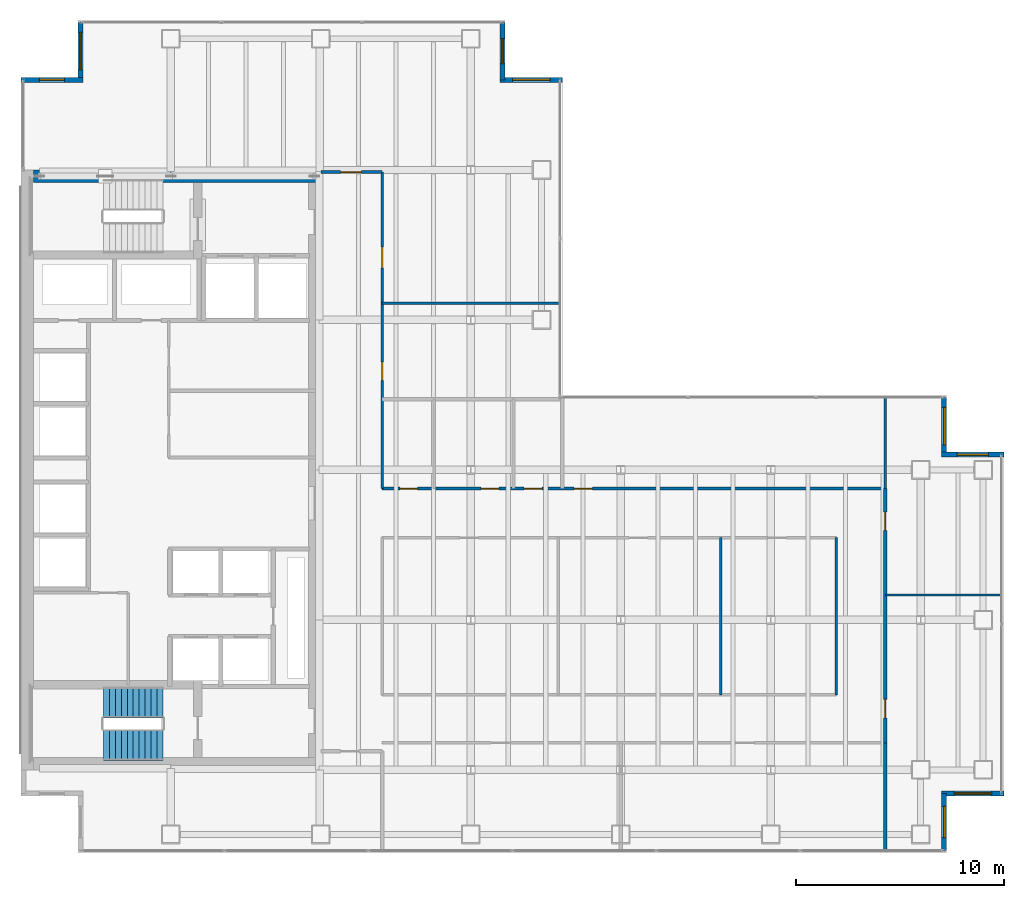
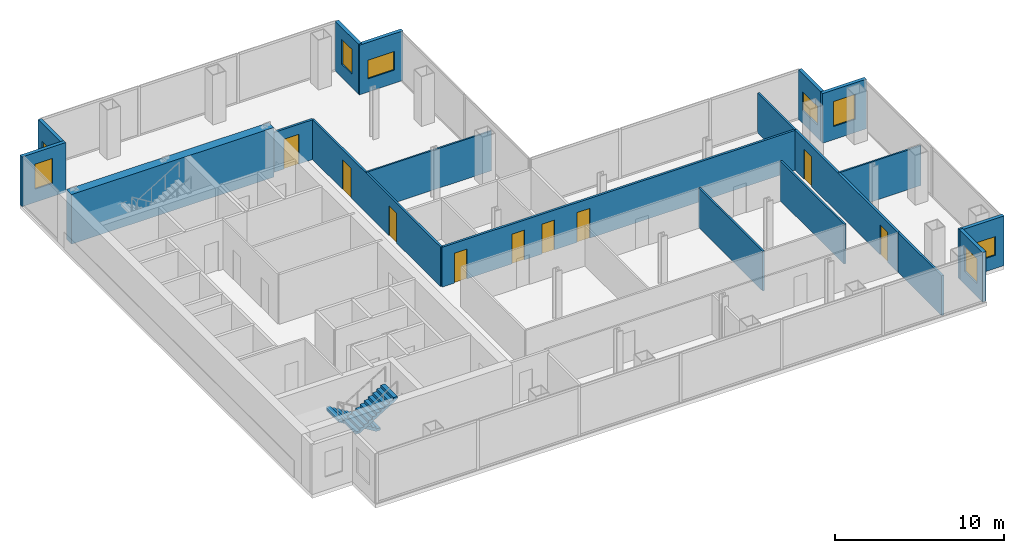
# One storey, part 22 of 24: 19 walls, 9 doors, 8 windows, 2 stair flights, 17 openings, 1 element without a shape of its own.
"""IFC4 building model written with IfcOpenShell, lengths in metres."""

from ifc_helpers import new_model, si_unit, direction, frame, frame_2d, origin, place, context, subcontext, project, spatial, polyline, rectangle, outline, extrude, material, layer, layer_set, type_object, element, fill, aggregate, save


model = new_model("IFC4")

# Units and contexts
model_context = context("Model", 3, precision=1e-05, world=origin(), true_north=direction((0.0, 1.0)))
body_context = subcontext(model_context, "Body", "Model", "MODEL_VIEW")
ifc_project = project(units=[si_unit("LENGTHUNIT", "METRE"), si_unit("AREAUNIT", "SQUARE_METRE"), si_unit("VOLUMEUNIT", "CUBIC_METRE"), si_unit("PLANEANGLEUNIT", "RADIAN"), si_unit("MASSUNIT", "GRAM", prefix="KILO")], contexts=[model_context])

# Site, building, storey
site_placement = place(None, origin())
site = spatial("IfcSite", under=ifc_project, at=site_placement, CompositionType="ELEMENT")
building_placement = place(site_placement, origin())
building = spatial("IfcBuilding", under=site, at=building_placement, Name="Cobrela Telecom Tower", CompositionType="ELEMENT")
storey_placement = place(building_placement, frame((0.0, 0.0, 121.449951171875)))
storey = spatial("IfcBuildingStorey", under=building, at=storey_placement, Name="L30", CompositionType="ELEMENT", Elevation=121.449951171875)

# Wall
ifc_material_1 = material(Name="Concrete C50/60", Category="concrete")
ifc_layer_1 = layer(ifc_material_1, 0.60009765625)
ifc_layer_set_1 = layer_set([ifc_layer_1], Name="Concrete C50/60")
wall_type_1 = type_object("IfcWallType", Name="WALL-CORE-C50-600", PredefinedType="SHEAR", material=ifc_layer_set_1)
wall_1_placement = place(storey_placement, frame((0.60009765625, 35.699951171875, 0.0), z_axis=(0.0, 0.0, 1.0), x_axis=(1.0, 0.0, 0.0)))
element("IfcWall", 1, at=wall_1_placement, inside=storey, type_object=wall_type_1, Name="L30 North Core Shear Wall", PredefinedType="SHEAR", context=body_context, shape_type="SweptSolid", body=[
    extrude(rectangle(XDim=13.7998046875, YDim=0.60009765625, at=frame_2d((6.89990234375, 0.0))), origin(), (0.0, 0.0, 1.0), 3.580078125),
])

# Wall, opening, window
ifc_material_2 = material(Name="Concrete C40/50", Category="concrete")
ifc_layer_2 = layer(ifc_material_2, 0.239990234375)
ifc_layer_set_2 = layer_set([ifc_layer_2], Name="Concrete C40/50")
wall_type_2 = type_object("IfcWallType", Name="WALL-EXT-300", PredefinedType="STANDARD", material=ifc_layer_set_2)
wall_2_placement = place(storey_placement, frame((0.0, 40.330078125, 0.0), z_axis=(0.0, 0.0, 1.0), x_axis=(1.0, 0.0, 0.0)))
wall_2 = element("IfcWall", 2, at=wall_2_placement, inside=storey, type_object=wall_type_2, Name="L30 Insulated Facade Wall 05", PredefinedType="STANDARD", context=body_context, shape_type="SweptSolid", body=[
    extrude(rectangle(XDim=2.989990234375, YDim=0.239990234375, at=frame_2d((1.4951171875, 0.0))), origin(), (0.0, 0.0, 1.0), 3.580078125),
])
opening_1_placement = place(wall_2_placement, frame((0.89501953125, 0.0, 0.949951171875)))
opening_1 = element("IfcOpeningElement", 3, at=opening_1_placement, cuts=wall_2, Name="Opening WN-19", PredefinedType="OPENING", context=body_context, shape_type="SweptSolid", body=[
    extrude(rectangle(XDim=1.199951171875, YDim=1.800048828125, at=frame_2d((0.60009765625, 0.89990234375))), frame((0.0, 0.1318359375, 0.0), z_axis=(0.0, -1.0, 0.0), x_axis=(1.0, 0.0, 0.0)), (0.0, 0.0, 1.0), 0.263916015625),
])
ifc_material_3 = material(Name="Solar-Control Bronze Low-E Glass", Category="glass")
window_type_1 = type_object("IfcWindowType", Name="WIN-MOD-1200", PartitioningType="SINGLE_PANEL", PredefinedType="WINDOW", material=ifc_material_3)
window_1_placement = place(opening_1_placement, origin())
window_1 = element("IfcWindow", 4, at=window_1_placement, inside=storey, type_object=window_type_1, Name="L30 Corner Notch Facade Window 142", OverallHeight=1.800048828125, OverallWidth=1.199951171875, PartitioningType="SINGLE_PANEL", PredefinedType="WINDOW", context=body_context, shape_type="SweptSolid", body=[
    extrude(rectangle(XDim=1.199951171875, YDim=1.800048828125, at=frame_2d((0.60009765625, 0.89990234375))), frame((0.0, 0.030029296875, 0.0), z_axis=(0.0, -1.0, 0.0), x_axis=(1.0, 0.0, 0.0)), (0.0, 0.0, 1.0), 0.06005859375),
])
fill(opening_1, window_1)

wall_3_placement = place(storey_placement, frame((2.8701171875, 40.330078125, 0.0), z_axis=(0.0, 0.0, 1.0), x_axis=(0.0, 1.0, 0.0)))
wall_3 = element("IfcWall", 5, at=wall_3_placement, inside=storey, type_object=wall_type_2, Name="L30 Insulated Facade Wall 06", PredefinedType="STANDARD", context=body_context, shape_type="SweptSolid", body=[
    extrude(rectangle(XDim=2.75, YDim=0.239990234375, at=frame_2d((1.375, 0.0))), origin(), (0.0, 0.0, 1.0), 3.580078125),
])
opening_2_placement = place(wall_3_placement, frame((0.47509765625, 0.0, 0.949951171875)))
opening_2 = element("IfcOpeningElement", 6, at=opening_2_placement, cuts=wall_3, Name="Opening WN-27", PredefinedType="OPENING", context=body_context, shape_type="SweptSolid", body=[
    extrude(rectangle(XDim=1.800048828125, YDim=1.35009765625, at=frame_2d((0.89990234375, 0.675048828125))), frame((0.0, 0.1318359375, 0.0), z_axis=(0.0, -1.0, 0.0), x_axis=(1.0, 0.0, 0.0)), (0.0, 0.0, 1.0), 0.263916015625),
])
window_type_2 = type_object("IfcWindowType", Name="WIN-CLER-1800", PartitioningType="SINGLE_PANEL", PredefinedType="WINDOW", material=ifc_material_3)
window_2_placement = place(opening_2_placement, origin())
window_2 = element("IfcWindow", 7, at=window_2_placement, inside=storey, type_object=window_type_2, Name="L30 Corner Notch Facade Window 143", OverallHeight=1.35009765625, OverallWidth=1.800048828125, PartitioningType="SINGLE_PANEL", PredefinedType="WINDOW", context=body_context, shape_type="SweptSolid", body=[
    extrude(rectangle(XDim=1.800048828125, YDim=1.35009765625, at=frame_2d((0.89990234375, 0.675048828125))), frame((0.0, 0.030029296875, 0.0), z_axis=(0.0, -1.0, 0.0), x_axis=(1.0, 0.0, 0.0)), (0.0, 0.0, 1.0), 0.06005859375),
])
fill(opening_2, window_2)

wall_4_placement = place(storey_placement, frame((23.1298828125, 43.080078125, 0.0), z_axis=(0.0, 0.0, 1.0), x_axis=(0.0, -1.0, 0.0)))
wall_4 = element("IfcWall", 8, at=wall_4_placement, inside=storey, type_object=wall_type_2, Name="L30 Insulated Facade Wall 08", PredefinedType="STANDARD", context=body_context, shape_type="SweptSolid", body=[
    extrude(rectangle(XDim=2.75, YDim=0.239990234375, at=frame_2d((1.375, 0.0))), origin(), (0.0, 0.0, 1.0), 3.580078125),
])
opening_3_placement = place(wall_4_placement, frame((0.77490234375, 0.0, 0.949951171875)))
opening_3 = element("IfcOpeningElement", 9, at=opening_3_placement, cuts=wall_4, Name="Opening WN-19", PredefinedType="OPENING", context=body_context, shape_type="SweptSolid", body=[
    extrude(rectangle(XDim=1.199951171875, YDim=1.800048828125, at=frame_2d((0.60009765625, 0.89990234375))), frame((0.0, 0.1318359375, 0.0), z_axis=(0.0, -1.0, 0.0), x_axis=(1.0, 0.0, 0.0)), (0.0, 0.0, 1.0), 0.263916015625),
])
window_3_placement = place(opening_3_placement, origin())
window_3 = element("IfcWindow", 10, at=window_3_placement, inside=storey, type_object=window_type_1, Name="L30 Corner Notch Facade Window 144", OverallHeight=1.800048828125, OverallWidth=1.199951171875, PartitioningType="SINGLE_PANEL", PredefinedType="WINDOW", context=body_context, shape_type="SweptSolid", body=[
    extrude(rectangle(XDim=1.199951171875, YDim=1.800048828125, at=frame_2d((0.60009765625, 0.89990234375))), frame((0.0, 0.030029296875, 0.0), z_axis=(0.0, -1.0, 0.0), x_axis=(1.0, 0.0, 0.0)), (0.0, 0.0, 1.0), 0.06005859375),
])
fill(opening_3, window_3)

wall_5_placement = place(storey_placement, frame((23.010009765625, 40.330078125, 0.0), z_axis=(0.0, 0.0, 1.0), x_axis=(1.0, 0.0, 0.0)))
wall_5 = element("IfcWall", 11, at=wall_5_placement, inside=storey, type_object=wall_type_2, Name="L30 Insulated Facade Wall 09", PredefinedType="STANDARD", context=body_context, shape_type="SweptSolid", body=[
    extrude(rectangle(XDim=2.989990234375, YDim=0.239990234375, at=frame_2d((1.4951171875, 0.0))), origin(), (0.0, 0.0, 1.0), 3.580078125),
])
opening_4_placement = place(wall_5_placement, frame((0.594970703125, 0.0, 0.949951171875)))
opening_4 = element("IfcOpeningElement", 12, at=opening_4_placement, cuts=wall_5, Name="Opening WN-27", PredefinedType="OPENING", context=body_context, shape_type="SweptSolid", body=[
    extrude(rectangle(XDim=1.800048828125, YDim=1.35009765625, at=frame_2d((0.89990234375, 0.675048828125))), frame((0.0, 0.1318359375, 0.0), z_axis=(0.0, -1.0, 0.0), x_axis=(1.0, 0.0, 0.0)), (0.0, 0.0, 1.0), 0.263916015625),
])
window_4_placement = place(opening_4_placement, origin())
window_4 = element("IfcWindow", 13, at=window_4_placement, inside=storey, type_object=window_type_2, Name="L30 Corner Notch Facade Window 145", OverallHeight=1.35009765625, OverallWidth=1.800048828125, PartitioningType="SINGLE_PANEL", PredefinedType="WINDOW", context=body_context, shape_type="SweptSolid", body=[
    extrude(rectangle(XDim=1.800048828125, YDim=1.35009765625, at=frame_2d((0.89990234375, 0.675048828125))), frame((0.0, 0.030029296875, 0.0), z_axis=(0.0, -1.0, 0.0), x_axis=(1.0, 0.0, 0.0)), (0.0, 0.0, 1.0), 0.06005859375),
])
fill(opening_4, window_4)

wall_6_placement = place(storey_placement, frame((44.330078125, 25.080078125, 0.0), z_axis=(0.0, 0.0, 1.0), x_axis=(0.0, -1.0, 0.0)))
wall_6 = element("IfcWall", 14, at=wall_6_placement, inside=storey, type_object=wall_type_2, Name="L30 Insulated Facade Wall 12", PredefinedType="STANDARD", context=body_context, shape_type="SweptSolid", body=[
    extrude(rectangle(XDim=2.75, YDim=0.239990234375, at=frame_2d((1.375, 0.0))), origin(), (0.0, 0.0, 1.0), 3.580078125),
])
opening_5_placement = place(wall_6_placement, frame((0.47509765625, 0.0, 0.949951171875)))
opening_5 = element("IfcOpeningElement", 15, at=opening_5_placement, cuts=wall_6, Name="Opening WN-27", PredefinedType="OPENING", context=body_context, shape_type="SweptSolid", body=[
    extrude(rectangle(XDim=1.800048828125, YDim=1.35009765625, at=frame_2d((0.89990234375, 0.675048828125))), frame((0.0, 0.1318359375, 0.0), z_axis=(0.0, -1.0, 0.0), x_axis=(1.0, 0.0, 0.0)), (0.0, 0.0, 1.0), 0.263916015625),
])
window_5_placement = place(opening_5_placement, origin())
window_5 = element("IfcWindow", 16, at=window_5_placement, inside=storey, type_object=window_type_2, Name="L30 Corner Notch Facade Window 146", OverallHeight=1.35009765625, OverallWidth=1.800048828125, PartitioningType="SINGLE_PANEL", PredefinedType="WINDOW", context=body_context, shape_type="SweptSolid", body=[
    extrude(rectangle(XDim=1.800048828125, YDim=1.35009765625, at=frame_2d((0.89990234375, 0.675048828125))), frame((0.0, 0.030029296875, 0.0), z_axis=(0.0, -1.0, 0.0), x_axis=(1.0, 0.0, 0.0)), (0.0, 0.0, 1.0), 0.06005859375),
])
fill(opening_5, window_5)

wall_7_placement = place(storey_placement, frame((44.2099609375, 22.330078125, 0.0), z_axis=(0.0, 0.0, 1.0), x_axis=(1.0, 0.0, 0.0)))
wall_7 = element("IfcWall", 17, at=wall_7_placement, inside=storey, type_object=wall_type_2, Name="L30 Insulated Facade Wall 13", PredefinedType="STANDARD", context=body_context, shape_type="SweptSolid", body=[
    extrude(rectangle(XDim=2.989990234375, YDim=0.239990234375, at=frame_2d((1.4951171875, 0.0))), origin(), (0.0, 0.0, 1.0), 3.580078125),
])
opening_6_placement = place(wall_7_placement, frame((0.7451171875, 0.0, 0.949951171875)))
opening_6 = element("IfcOpeningElement", 18, at=opening_6_placement, cuts=wall_7, Name="Opening WN-45", PredefinedType="OPENING", context=body_context, shape_type="SweptSolid", body=[
    extrude(rectangle(XDim=1.5, YDim=1.800048828125, at=frame_2d((0.75, 0.89990234375))), frame((0.0, 0.1318359375, 0.0), z_axis=(0.0, -1.0, 0.0), x_axis=(1.0, 0.0, 0.0)), (0.0, 0.0, 1.0), 0.263916015625),
])
window_type_3 = type_object("IfcWindowType", Name="WIN-MOD-1500", PartitioningType="SINGLE_PANEL", PredefinedType="WINDOW", material=ifc_material_3)
window_6_placement = place(opening_6_placement, origin())
window_6 = element("IfcWindow", 19, at=window_6_placement, inside=storey, type_object=window_type_3, Name="L30 Corner Notch Facade Window 147", OverallHeight=1.800048828125, OverallWidth=1.5, PartitioningType="SINGLE_PANEL", PredefinedType="WINDOW", context=body_context, shape_type="SweptSolid", body=[
    extrude(rectangle(XDim=1.5, YDim=1.800048828125, at=frame_2d((0.75, 0.89990234375))), frame((0.0, 0.030029296875, 0.0), z_axis=(0.0, -1.0, 0.0), x_axis=(1.0, 0.0, 0.0)), (0.0, 0.0, 1.0), 0.06005859375),
])
fill(opening_6, window_6)

wall_8_placement = place(storey_placement, frame((47.199951171875, 6.070068359375, 0.0), z_axis=(0.0, 0.0, 1.0), x_axis=(-1.0, 0.0, 0.0)))
wall_8 = element("IfcWall", 20, at=wall_8_placement, inside=storey, type_object=wall_type_2, Name="L30 Insulated Facade Wall 15", PredefinedType="STANDARD", context=body_context, shape_type="SweptSolid", body=[
    extrude(rectangle(XDim=2.989990234375, YDim=0.239990234375, at=frame_2d((1.4951171875, 0.0))), origin(), (0.0, 0.0, 1.0), 3.580078125),
])
opening_7_placement = place(wall_8_placement, frame((0.594970703125, 0.0, 0.949951171875)))
opening_7 = element("IfcOpeningElement", 21, at=opening_7_placement, cuts=wall_8, Name="Opening WN-27", PredefinedType="OPENING", context=body_context, shape_type="SweptSolid", body=[
    extrude(rectangle(XDim=1.800048828125, YDim=1.35009765625, at=frame_2d((0.89990234375, 0.675048828125))), frame((0.0, 0.1318359375, 0.0), z_axis=(0.0, -1.0, 0.0), x_axis=(1.0, 0.0, 0.0)), (0.0, 0.0, 1.0), 0.263916015625),
])
window_7_placement = place(opening_7_placement, origin())
window_7 = element("IfcWindow", 22, at=window_7_placement, inside=storey, type_object=window_type_2, Name="L30 Corner Notch Facade Window 148", OverallHeight=1.35009765625, OverallWidth=1.800048828125, PartitioningType="SINGLE_PANEL", PredefinedType="WINDOW", context=body_context, shape_type="SweptSolid", body=[
    extrude(rectangle(XDim=1.800048828125, YDim=1.35009765625, at=frame_2d((0.89990234375, 0.675048828125))), frame((0.0, 0.030029296875, 0.0), z_axis=(0.0, -1.0, 0.0), x_axis=(1.0, 0.0, 0.0)), (0.0, 0.0, 1.0), 0.06005859375),
])
fill(opening_7, window_7)

wall_9_placement = place(storey_placement, frame((44.330078125, 6.070068359375, 0.0), z_axis=(0.0, 0.0, 1.0), x_axis=(0.0, -1.0, 0.0)))
wall_9 = element("IfcWall", 23, at=wall_9_placement, inside=storey, type_object=wall_type_2, Name="L30 Insulated Facade Wall 16", PredefinedType="STANDARD", context=body_context, shape_type="SweptSolid", body=[
    extrude(rectangle(XDim=2.75, YDim=0.239990234375, at=frame_2d((1.375, 0.0))), origin(), (0.0, 0.0, 1.0), 3.580078125),
])
opening_8_placement = place(wall_9_placement, frame((0.625, 0.0, 0.949951171875)))
opening_8 = element("IfcOpeningElement", 24, at=opening_8_placement, cuts=wall_9, Name="Opening WN-45", PredefinedType="OPENING", context=body_context, shape_type="SweptSolid", body=[
    extrude(rectangle(XDim=1.5, YDim=1.800048828125, at=frame_2d((0.75, 0.89990234375))), frame((0.0, 0.1318359375, 0.0), z_axis=(0.0, -1.0, 0.0), x_axis=(1.0, 0.0, 0.0)), (0.0, 0.0, 1.0), 0.263916015625),
])
window_8_placement = place(opening_8_placement, origin())
window_8 = element("IfcWindow", 25, at=window_8_placement, inside=storey, type_object=window_type_3, Name="L30 Corner Notch Facade Window 149", OverallHeight=1.800048828125, OverallWidth=1.5, PartitioningType="SINGLE_PANEL", PredefinedType="WINDOW", context=body_context, shape_type="SweptSolid", body=[
    extrude(rectangle(XDim=1.5, YDim=1.800048828125, at=frame_2d((0.75, 0.89990234375))), frame((0.0, 0.030029296875, 0.0), z_axis=(0.0, -1.0, 0.0), x_axis=(1.0, 0.0, 0.0)), (0.0, 0.0, 1.0), 0.06005859375),
])
fill(opening_8, window_8)

# Walls
ifc_material_4 = material(Name="Fire-Rated Gypsum Plasterboard")
ifc_layer_3 = layer(ifc_material_4, 0.110107421875)
ifc_layer_set_3 = layer_set([ifc_layer_3], Name="Fire-Rated Gypsum Plasterboard")
wall_type_3 = type_object("IfcWallType", Name="WALL-PART-110", PredefinedType="PARTITIONING", material=ifc_layer_set_3)
wall_10_placement = place(storey_placement, frame((17.35009765625, 29.60009765625, 0.0), z_axis=(0.0, 0.0, 1.0), x_axis=(1.0, 0.0, 0.0)))
element("IfcWall", 26, at=wall_10_placement, inside=storey, type_object=wall_type_3, Name="L30 Interior Partition W-NPAN-N", PredefinedType="PARTITIONING", context=body_context, shape_type="SweptSolid", body=[
    extrude(rectangle(XDim=8.52978515625, YDim=0.110107421875, at=frame_2d((4.264892578125, 0.0))), origin(), (0.0, 0.0, 1.0), 2.869140625),
])
wall_11_placement = place(storey_placement, frame((41.5, 15.60009765625, 0.0), z_axis=(0.0, 0.0, 1.0), x_axis=(1.0, 0.0, 0.0)))
element("IfcWall", 27, at=wall_11_placement, inside=storey, type_object=wall_type_3, Name="L30 Interior Partition W-UFE-H", PredefinedType="PARTITIONING", context=body_context, shape_type="SweptSolid", body=[
    extrude(rectangle(XDim=5.580078125, YDim=0.110107421875, at=frame_2d((2.7900390625, 0.0))), origin(), (0.0, 0.0, 1.0), 2.869140625),
])
ifc_layer_4 = layer(ifc_material_4, 0.125)
ifc_layer_set_4 = layer_set([ifc_layer_4], Name="Fire-Rated Gypsum Plasterboard")
wall_type_4 = type_object("IfcWallType", Name="WALL-PART-125", PredefinedType="PARTITIONING", material=ifc_layer_set_4)
for number, where, z_axis, x_axis, name in (
    (28, (39.14990234375, 10.800048828125, 0.0), (0.0, 0.0, 1.0), (0.0, 1.0, 0.0), "L30 Interior Partition W-ISL-E"),
    (29, (33.60009765625, 10.800048828125, 0.0), (0.0, 0.0, 1.0), (0.0, 1.0, 0.0), "L30 Interior Partition W-ISLV-2"),
):
    element("IfcWall", number, at=place(storey_placement, frame(where, z_axis=z_axis, x_axis=x_axis)), inside=storey, type_object=wall_type_4, Name=name, PredefinedType="PARTITIONING", context=body_context, shape_type="SweptSolid", body=[
        extrude(rectangle(XDim=7.550048828125, YDim=0.125, at=frame_2d((3.77490234375, 0.0))), origin(), (0.0, 0.0, 1.0), 2.869140625),
    ])

# Wall, openings, doors
ifc_layer_5 = layer(ifc_material_4, 0.135009765625)
ifc_layer_set_5 = layer_set([ifc_layer_5], Name="Fire-Rated Gypsum Plasterboard")
wall_type_5 = type_object("IfcWallType", Name="WALL-PART-135", PredefinedType="PARTITIONING", material=ifc_layer_set_5)
wall_12_placement = place(storey_placement, frame((17.35009765625, 20.699951171875, 0.0), z_axis=(0.0, 0.0, 1.0), x_axis=(0.0, 1.0, 0.0)))
wall_12 = element("IfcWall", 30, at=wall_12_placement, inside=storey, type_object=wall_type_5, Name="L30 Interior Partition W-UW-E2", PredefinedType="PARTITIONING", context=body_context, shape_type="SweptSolid", body=[
    extrude(rectangle(XDim=15.199951171875, YDim=0.135009765625, at=frame_2d((7.60009765625, 0.0))), origin(), (0.0, 0.0, 1.0), 2.869140625),
])
opening_9_placement = place(wall_12_placement, frame((5.199951171875, 0.0, 0.0)))
opening_9 = element("IfcOpeningElement", 31, at=opening_9_placement, cuts=wall_12, Name="Opening DR-39", PredefinedType="OPENING", context=body_context, shape_type="SweptSolid", body=[
    extrude(rectangle(XDim=0.8798828125, YDim=2.14990234375, at=frame_2d((0.43994140625, 1.074951171875))), frame((0.0, 0.07958984375, 0.0), z_axis=(0.0, -1.0, 0.0), x_axis=(1.0, 0.0, 0.0)), (0.0, 0.0, 1.0), 0.158935546875),
])
opening_10_placement = place(wall_12_placement, frame((10.60009765625, 0.0, 0.0)))
opening_10 = element("IfcOpeningElement", 32, at=opening_10_placement, cuts=wall_12, Name="Opening DR-31", PredefinedType="OPENING", context=body_context, shape_type="SweptSolid", body=[
    extrude(rectangle(XDim=1.0, YDim=2.14990234375, at=frame_2d((0.5, 1.074951171875))), frame((0.0, 0.07958984375, 0.0), z_axis=(0.0, -1.0, 0.0), x_axis=(1.0, 0.0, 0.0)), (0.0, 0.0, 1.0), 0.158935546875),
])
ifc_material_5 = material(Name="Solid Engineered Oak Timber", Category="wood")
door_type_1 = type_object("IfcDoorType", Name="DOOR-INT-1000", OperationType="SINGLE_SWING_LEFT", PredefinedType="DOOR", material=ifc_material_5)
door_1_placement = place(opening_10_placement, origin())
door_1 = element("IfcDoor", 33, at=door_1_placement, inside=storey, type_object=door_type_1, Name="L30 Door DR-31", OperationType="SINGLE_SWING_LEFT", OverallHeight=2.14990234375, OverallWidth=1.0, PredefinedType="DOOR", context=body_context, shape_type="SweptSolid", body=[
    extrude(rectangle(XDim=1.0, YDim=2.14990234375, at=frame_2d((0.5, 1.074951171875))), frame((0.0, 0.02490234375, 0.0), z_axis=(0.0, -1.0, 0.0), x_axis=(1.0, 0.0, 0.0)), (0.0, 0.0, 1.0), 0.050048828125),
])
fill(opening_10, door_1)
door_type_2 = type_object("IfcDoorType", Name="DOOR-INT-880", OperationType="SINGLE_SWING_LEFT", PredefinedType="DOOR", material=ifc_material_5)
door_2_placement = place(opening_9_placement, origin())
door_2 = element("IfcDoor", 34, at=door_2_placement, inside=storey, type_object=door_type_2, Name="L30 Door DR-39", OperationType="SINGLE_SWING_RIGHT", OverallHeight=2.14990234375, OverallWidth=0.8798828125, PredefinedType="DOOR", context=body_context, shape_type="SweptSolid", body=[
    extrude(rectangle(XDim=0.8798828125, YDim=2.14990234375, at=frame_2d((0.43994140625, 1.074951171875))), frame((0.0, 0.02490234375, 0.0), z_axis=(0.0, -1.0, 0.0), x_axis=(1.0, 0.0, 0.0)), (0.0, 0.0, 1.0), 0.050048828125),
])
fill(opening_9, door_2)

# Wall
wall_13_placement = place(storey_placement, frame((41.5, 20.699951171875, 0.0), z_axis=(0.0, 0.0, 1.0), x_axis=(0.0, 1.0, 0.0)))
element("IfcWall", 35, at=wall_13_placement, inside=storey, type_object=wall_type_5, Name="L30 Interior Partition W-UFE-N", PredefinedType="PARTITIONING", context=body_context, shape_type="SweptSolid", body=[
    extrude(rectangle(XDim=4.380126953125, YDim=0.135009765625, at=frame_2d((2.18994140625, 0.0))), origin(), (0.0, 0.0, 1.0), 2.869140625),
])

# Wall, opening, door
ifc_layer_6 = layer(ifc_material_4, 0.14990234375)
ifc_layer_set_6 = layer_set([ifc_layer_6], Name="Fire-Rated Gypsum Plasterboard")
wall_type_6 = type_object("IfcWallType", Name="WALL-PART-150", PredefinedType="PARTITIONING", material=ifc_layer_set_6)
wall_14_placement = place(storey_placement, frame((14.39990234375, 35.89990234375, 0.0), z_axis=(0.0, 0.0, 1.0), x_axis=(1.0, 0.0, 0.0)))
wall_14 = element("IfcWall", 36, at=wall_14_placement, inside=storey, type_object=wall_type_6, Name="L30 Interior Partition W-UW-N0", PredefinedType="PARTITIONING", context=body_context, shape_type="SweptSolid", body=[
    extrude(rectangle(XDim=2.9501953125, YDim=0.14990234375, at=frame_2d((1.47509765625, 0.0))), origin(), (0.0, 0.0, 1.0), 2.869140625),
])
opening_11_placement = place(wall_14_placement, frame((0.949951171875, 0.0, 0.0)))
opening_11 = element("IfcOpeningElement", 37, at=opening_11_placement, cuts=wall_14, Name="Opening DR-31", PredefinedType="OPENING", context=body_context, shape_type="SweptSolid", body=[
    extrude(rectangle(XDim=1.0, YDim=2.14990234375, at=frame_2d((0.5, 1.074951171875))), frame((0.0, 0.0869140625, 0.0), z_axis=(0.0, -1.0, 0.0), x_axis=(1.0, 0.0, 0.0)), (0.0, 0.0, 1.0), 0.173828125),
])
door_3_placement = place(opening_11_placement, origin())
door_3 = element("IfcDoor", 38, at=door_3_placement, inside=storey, type_object=door_type_1, Name="L30 Door DR-31", OperationType="SINGLE_SWING_LEFT", OverallHeight=2.14990234375, OverallWidth=1.0, PredefinedType="DOOR", context=body_context, shape_type="SweptSolid", body=[
    extrude(rectangle(XDim=1.0, YDim=2.14990234375, at=frame_2d((0.5, 1.074951171875))), frame((0.0, 0.02490234375, 0.0), z_axis=(0.0, -1.0, 0.0), x_axis=(1.0, 0.0, 0.0)), (0.0, 0.0, 1.0), 0.050048828125),
])
fill(opening_11, door_3)

# Wall, openings, doors
wall_15_placement = place(storey_placement, frame((17.35009765625, 20.699951171875, 0.0), z_axis=(0.0, 0.0, 1.0), x_axis=(1.0, 0.0, 0.0)))
wall_15 = element("IfcWall", 39, at=wall_15_placement, inside=storey, type_object=wall_type_6, Name="L30 Interior Partition W-UN-N", PredefinedType="PARTITIONING", context=body_context, shape_type="SweptSolid", body=[
    extrude(rectangle(XDim=24.14990234375, YDim=0.14990234375, at=frame_2d((12.074951171875, 0.0))), origin(), (0.0, 0.0, 1.0), 2.869140625),
])
opening_12_placement = place(wall_15_placement, frame((0.85009765625, 0.0, 0.0)))
opening_12 = element("IfcOpeningElement", 40, at=opening_12_placement, cuts=wall_15, Name="Opening DR-11", PredefinedType="OPENING", context=body_context, shape_type="SweptSolid", body=[
    extrude(rectangle(XDim=0.85009765625, YDim=2.14990234375, at=frame_2d((0.425048828125, 1.074951171875))), frame((0.0, 0.0869140625, 0.0), z_axis=(0.0, -1.0, 0.0), x_axis=(1.0, 0.0, 0.0)), (0.0, 0.0, 1.0), 0.173828125),
])
opening_13_placement = place(wall_15_placement, frame((4.75, 0.0, 0.0)))
opening_13 = element("IfcOpeningElement", 41, at=opening_13_placement, cuts=wall_15, Name="Opening DR-11", PredefinedType="OPENING", context=body_context, shape_type="SweptSolid", body=[
    extrude(rectangle(XDim=0.85009765625, YDim=2.14990234375, at=frame_2d((0.425048828125, 1.074951171875))), frame((0.0, 0.0869140625, 0.0), z_axis=(0.0, -1.0, 0.0), x_axis=(1.0, 0.0, 0.0)), (0.0, 0.0, 1.0), 0.173828125),
])
opening_14_placement = place(wall_15_placement, frame((6.81005859375, 0.0, 0.0)))
opening_14 = element("IfcOpeningElement", 42, at=opening_14_placement, cuts=wall_15, Name="Opening DR-11", PredefinedType="OPENING", context=body_context, shape_type="SweptSolid", body=[
    extrude(rectangle(XDim=0.85009765625, YDim=2.14990234375, at=frame_2d((0.425048828125, 1.074951171875))), frame((0.0, 0.0869140625, 0.0), z_axis=(0.0, -1.0, 0.0), x_axis=(1.0, 0.0, 0.0)), (0.0, 0.0, 1.0), 0.173828125),
])
opening_15_placement = place(wall_15_placement, frame((9.2099609375, 0.0, 0.0)))
opening_15 = element("IfcOpeningElement", 43, at=opening_15_placement, cuts=wall_15, Name="Opening DR-39", PredefinedType="OPENING", context=body_context, shape_type="SweptSolid", body=[
    extrude(rectangle(XDim=0.8798828125, YDim=2.14990234375, at=frame_2d((0.43994140625, 1.074951171875))), frame((0.0, 0.0869140625, 0.0), z_axis=(0.0, -1.0, 0.0), x_axis=(1.0, 0.0, 0.0)), (0.0, 0.0, 1.0), 0.173828125),
])
door_type_3 = type_object("IfcDoorType", Name="DOOR-INT-850", OperationType="SINGLE_SWING_LEFT", PredefinedType="DOOR", material=ifc_material_5)
door_4_placement = place(opening_12_placement, origin())
door_4 = element("IfcDoor", 44, at=door_4_placement, inside=storey, type_object=door_type_3, Name="L30 Door DR-11", OperationType="SINGLE_SWING_LEFT", OverallHeight=2.14990234375, OverallWidth=0.85009765625, PredefinedType="DOOR", context=body_context, shape_type="SweptSolid", body=[
    extrude(rectangle(XDim=0.85009765625, YDim=2.14990234375, at=frame_2d((0.425048828125, 1.074951171875))), frame((0.0, 0.02490234375, 0.0), z_axis=(0.0, -1.0, 0.0), x_axis=(1.0, 0.0, 0.0)), (0.0, 0.0, 1.0), 0.050048828125),
])
fill(opening_12, door_4)
door_5_placement = place(opening_13_placement, origin())
door_5 = element("IfcDoor", 45, at=door_5_placement, inside=storey, type_object=door_type_3, Name="L30 Door DR-11", OperationType="SINGLE_SWING_RIGHT", OverallHeight=2.14990234375, OverallWidth=0.85009765625, PredefinedType="DOOR", context=body_context, shape_type="SweptSolid", body=[
    extrude(rectangle(XDim=0.85009765625, YDim=2.14990234375, at=frame_2d((0.425048828125, 1.074951171875))), frame((0.0, 0.02490234375, 0.0), z_axis=(0.0, -1.0, 0.0), x_axis=(1.0, 0.0, 0.0)), (0.0, 0.0, 1.0), 0.050048828125),
])
fill(opening_13, door_5)
door_6_placement = place(opening_14_placement, origin())
door_6 = element("IfcDoor", 46, at=door_6_placement, inside=storey, type_object=door_type_3, Name="L30 Door DR-11", OperationType="SINGLE_SWING_LEFT", OverallHeight=2.14990234375, OverallWidth=0.85009765625, PredefinedType="DOOR", context=body_context, shape_type="SweptSolid", body=[
    extrude(rectangle(XDim=0.85009765625, YDim=2.14990234375, at=frame_2d((0.425048828125, 1.074951171875))), frame((0.0, 0.02490234375, 0.0), z_axis=(0.0, -1.0, 0.0), x_axis=(1.0, 0.0, 0.0)), (0.0, 0.0, 1.0), 0.050048828125),
])
fill(opening_14, door_6)
door_7_placement = place(opening_15_placement, origin())
door_7 = element("IfcDoor", 47, at=door_7_placement, inside=storey, type_object=door_type_2, Name="L30 Door DR-39", OperationType="SINGLE_SWING_RIGHT", OverallHeight=2.14990234375, OverallWidth=0.8798828125, PredefinedType="DOOR", context=body_context, shape_type="SweptSolid", body=[
    extrude(rectangle(XDim=0.8798828125, YDim=2.14990234375, at=frame_2d((0.43994140625, 1.074951171875))), frame((0.0, 0.02490234375, 0.0), z_axis=(0.0, -1.0, 0.0), x_axis=(1.0, 0.0, 0.0)), (0.0, 0.0, 1.0), 0.050048828125),
])
fill(opening_15, door_7)

# Wall
wall_16_placement = place(storey_placement, frame((41.5, 3.320068359375, 0.0), z_axis=(0.0, 0.0, 1.0), x_axis=(0.0, 1.0, 0.0)))
element("IfcWall", 48, at=wall_16_placement, inside=storey, type_object=wall_type_6, Name="L30 Interior Partition W-UFE-S", PredefinedType="PARTITIONING", context=body_context, shape_type="SweptSolid", body=[
    extrude(rectangle(XDim=5.179931640625, YDim=0.14990234375, at=frame_2d((2.58984375, 0.0))), origin(), (0.0, 0.0, 1.0), 2.869140625),
])

# Wall, openings, doors
ifc_layer_7 = layer(ifc_material_4, 0.159912109375)
ifc_layer_set_7 = layer_set([ifc_layer_7], Name="Fire-Rated Gypsum Plasterboard")
wall_type_7 = type_object("IfcWallType", Name="WALL-PART-160", PredefinedType="PARTITIONING", material=ifc_layer_set_7)
wall_17_placement = place(storey_placement, frame((41.5, 8.5, 0.0), z_axis=(0.0, 0.0, 1.0), x_axis=(0.0, 1.0, 0.0)))
wall_17 = element("IfcWall", 49, at=wall_17_placement, inside=storey, type_object=wall_type_7, Name="L30 Interior Partition W-UE-E", PredefinedType="PARTITIONING", context=body_context, shape_type="SweptSolid", body=[
    extrude(rectangle(XDim=12.199951171875, YDim=0.159912109375, at=frame_2d((6.10009765625, 0.0))), origin(), (0.0, 0.0, 1.0), 2.869140625),
])
opening_16_placement = place(wall_17_placement, frame((1.199951171875, 0.0, 0.0)))
opening_16 = element("IfcOpeningElement", 50, at=opening_16_placement, cuts=wall_17, Name="Opening DR-39", PredefinedType="OPENING", context=body_context, shape_type="SweptSolid", body=[
    extrude(rectangle(XDim=0.8798828125, YDim=2.14990234375, at=frame_2d((0.43994140625, 1.074951171875))), frame((0.0, 0.091796875, 0.0), z_axis=(0.0, -1.0, 0.0), x_axis=(1.0, 0.0, 0.0)), (0.0, 0.0, 1.0), 0.183837890625),
])
opening_17_placement = place(wall_17_placement, frame((10.199951171875, 0.0, 0.0)))
opening_17 = element("IfcOpeningElement", 51, at=opening_17_placement, cuts=wall_17, Name="Opening DR-39", PredefinedType="OPENING", context=body_context, shape_type="SweptSolid", body=[
    extrude(rectangle(XDim=0.8798828125, YDim=2.14990234375, at=frame_2d((0.43994140625, 1.074951171875))), frame((0.0, 0.091796875, 0.0), z_axis=(0.0, -1.0, 0.0), x_axis=(1.0, 0.0, 0.0)), (0.0, 0.0, 1.0), 0.183837890625),
])
door_8_placement = place(opening_16_placement, origin())
door_8 = element("IfcDoor", 52, at=door_8_placement, inside=storey, type_object=door_type_2, Name="L30 Door DR-39", OperationType="SINGLE_SWING_LEFT", OverallHeight=2.14990234375, OverallWidth=0.8798828125, PredefinedType="DOOR", context=body_context, shape_type="SweptSolid", body=[
    extrude(rectangle(XDim=0.8798828125, YDim=2.14990234375, at=frame_2d((0.43994140625, 1.074951171875))), frame((0.0, 0.02490234375, 0.0), z_axis=(0.0, -1.0, 0.0), x_axis=(1.0, 0.0, 0.0)), (0.0, 0.0, 1.0), 0.050048828125),
])
fill(opening_16, door_8)
door_9_placement = place(opening_17_placement, origin())
door_9 = element("IfcDoor", 53, at=door_9_placement, inside=storey, type_object=door_type_2, Name="L30 Door DR-39", OperationType="SINGLE_SWING_RIGHT", OverallHeight=2.14990234375, OverallWidth=0.8798828125, PredefinedType="DOOR", context=body_context, shape_type="SweptSolid", body=[
    extrude(rectangle(XDim=0.8798828125, YDim=2.14990234375, at=frame_2d((0.43994140625, 1.074951171875))), frame((0.0, 0.02490234375, 0.0), z_axis=(0.0, -1.0, 0.0), x_axis=(1.0, 0.0, 0.0)), (0.0, 0.0, 1.0), 0.050048828125),
])
fill(opening_17, door_9)

# Stair, stair flights
stair_type = type_object("IfcStairType", Name="STAIR-CORE", PredefinedType="HALF_TURN_STAIR", material=ifc_material_2)
stair_placement = place(storey_placement, origin())
stair = element("IfcStair", 54, at=stair_placement, inside=storey, type_object=stair_type, Name="L30 Smokeproof Exit Stair ST2", PredefinedType="HALF_TURN_STAIR")
stair_flight_type = type_object("IfcStairFlightType", Name="FLIGHT-CORE", PredefinedType="STRAIGHT", material=ifc_material_2)
stair_flight_1_placement = place(storey_placement, frame((6.820068359375, 10.449951171875, 0.0), z_axis=(0.0, 0.0, 1.0), x_axis=(-1.0, 0.0, 0.0)))
stair_flight_1 = element("IfcStairFlight", 55, at=stair_flight_1_placement, type_object=stair_flight_type, Name="ST2 flight 1", NumberOfRisers=11, NumberOfTreads=10, PredefinedType="STRAIGHT", RiserHeight=0.175, TreadLength=0.285, context=body_context, shape_type="SweptSolid", body=[
    extrude(outline(polyline([(0.0, 0.0), (0.0, 0.175048828125), (0.284912109375, 0.175048828125), (0.284912109375, 0.35009765625), (0.570068359375, 0.35009765625), (0.570068359375, 0.52490234375), (0.85498046875, 0.52490234375), (0.85498046875, 0.699951171875), (1.139892578125, 0.699951171875), (1.139892578125, 0.875), (1.425048828125, 0.875), (1.425048828125, 1.050048828125), (1.7099609375, 1.050048828125), (1.7099609375, 1.22509765625), (1.9951171875, 1.22509765625), (1.9951171875, 1.39990234375), (2.280029296875, 1.39990234375), (2.280029296875, 1.574951171875), (2.56494140625, 1.574951171875), (2.56494140625, 1.75), (2.85009765625, 1.75), (2.85009765625, 1.925048828125), (2.85009765625, 1.573974609375), (0.286376953125, 0.0), (0.0, 0.0)])), frame((0.0, 0.75, 0.0), z_axis=(0.0, -1.0, 0.0), x_axis=(1.0, 0.0, 0.0)), (0.0, 0.0, 1.0), 1.5),
])
stair_flight_2_placement = place(storey_placement, frame((3.969970703125, 8.39990234375, 1.925048828125), z_axis=(0.0, 0.0, 1.0), x_axis=(1.0, 0.0, 0.0)))
stair_flight_2 = element("IfcStairFlight", 56, at=stair_flight_2_placement, type_object=stair_flight_type, Name="ST2 flight 2", NumberOfRisers=11, NumberOfTreads=10, PredefinedType="STRAIGHT", RiserHeight=0.175, TreadLength=0.285, context=body_context, shape_type="SweptSolid", body=[
    extrude(outline(polyline([(0.0, 0.0), (0.0, 0.175048828125), (0.284912109375, 0.175048828125), (0.284912109375, 0.35009765625), (0.570068359375, 0.35009765625), (0.570068359375, 0.52490234375), (0.85498046875, 0.52490234375), (0.85498046875, 0.699951171875), (1.139892578125, 0.699951171875), (1.139892578125, 0.875), (1.425048828125, 0.875), (1.425048828125, 1.050048828125), (1.7099609375, 1.050048828125), (1.7099609375, 1.22509765625), (1.9951171875, 1.22509765625), (1.9951171875, 1.39990234375), (2.280029296875, 1.39990234375), (2.280029296875, 1.574951171875), (2.56494140625, 1.574951171875), (2.56494140625, 1.75), (2.85009765625, 1.75), (2.85009765625, 1.925048828125), (2.85009765625, 1.573974609375), (0.286376953125, 0.0), (0.0, 0.0)])), frame((0.0, 0.75, 0.0), z_axis=(0.0, -1.0, 0.0), x_axis=(1.0, 0.0, 0.0)), (0.0, 0.0, 1.0), 1.5),
])
aggregate(stair, [stair_flight_1, stair_flight_2])

save(model, "model.ifc")
